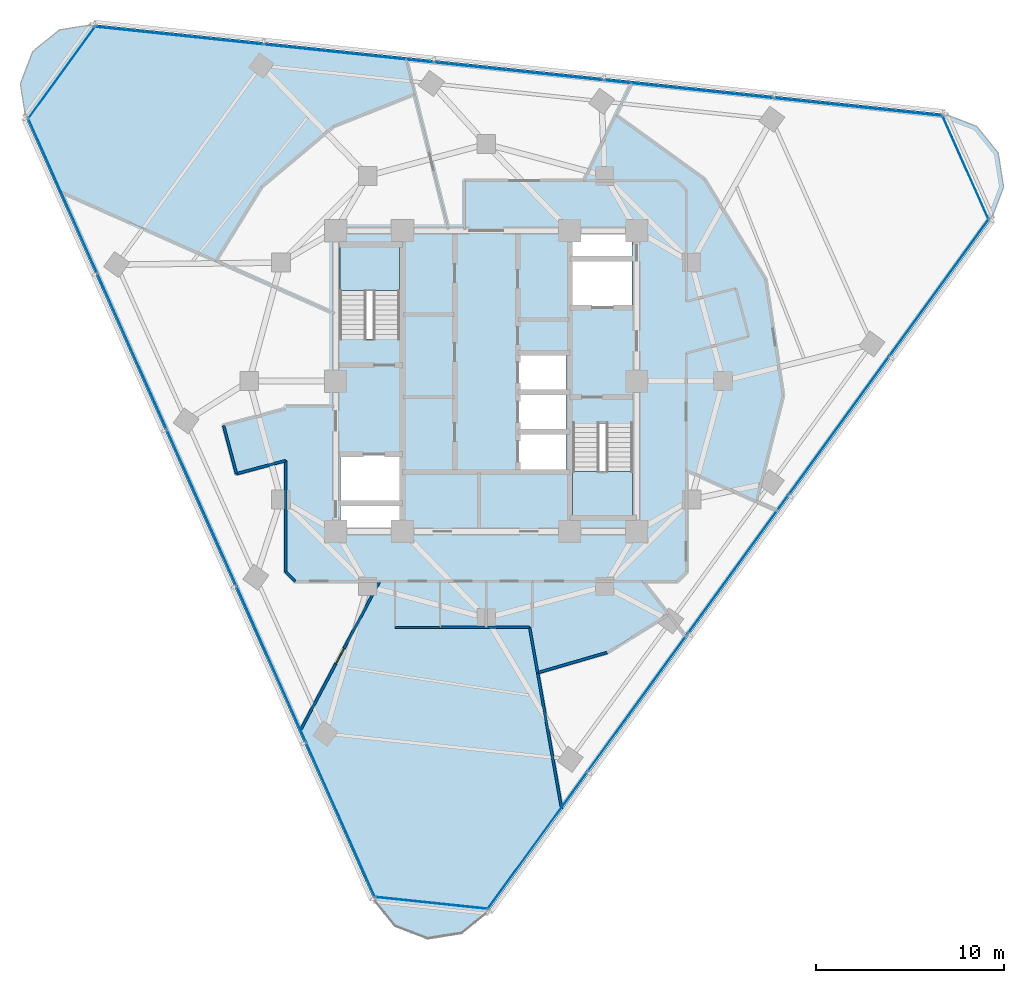
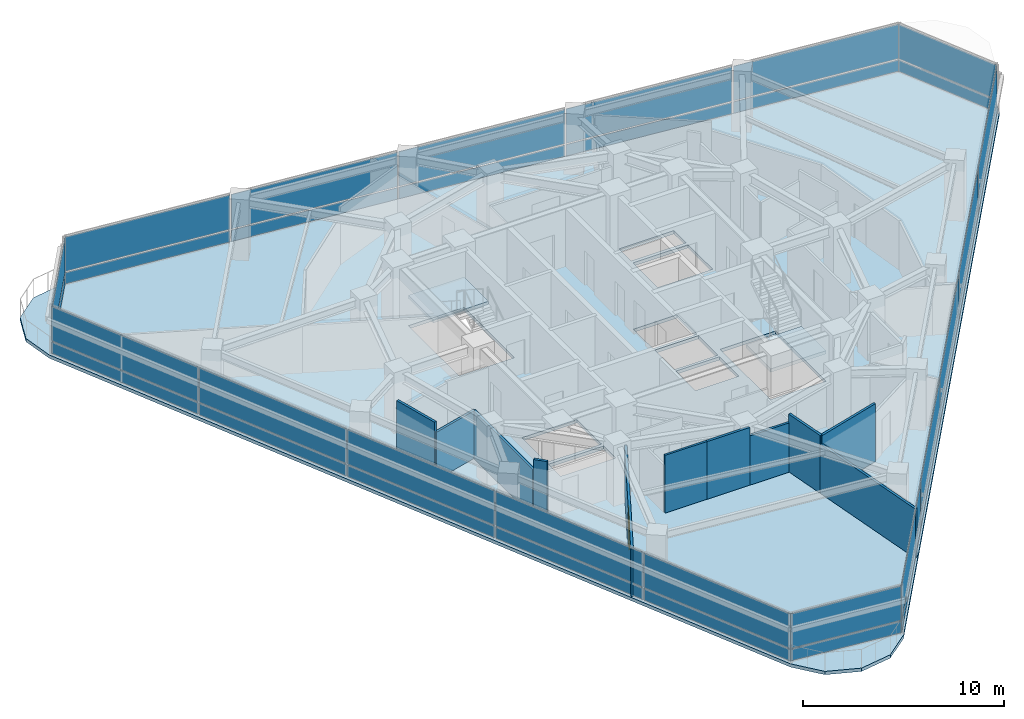
# One storey, part 7 of 15: 36 plates, 11 walls, 3 slabs, 1 door, 1 opening, 8 elements without a shape of their own.
"""IFC4 building model written with IfcOpenShell, lengths in metres."""

from ifc_helpers import new_model, si_unit, direction, frame, frame_2d, origin, origin_2d, place, context, subcontext, project, spatial, polyline, rectangle, outline, extrude, material, layer, layer_set, type_object, element, fill, aggregate, save


model = new_model("IFC4")

# Units and contexts
model_context = context("Model", 3, precision=1e-05, world=origin(), true_north=direction((0.0, 1.0)))
body_context = subcontext(model_context, "Body", "Model", "MODEL_VIEW")
ifc_project = project(units=[si_unit("LENGTHUNIT", "METRE"), si_unit("AREAUNIT", "SQUARE_METRE"), si_unit("VOLUMEUNIT", "CUBIC_METRE"), si_unit("PLANEANGLEUNIT", "RADIAN"), si_unit("MASSUNIT", "GRAM", prefix="KILO")], contexts=[model_context])

# Site, building, storey
site_placement = place(None, origin())
site = spatial("IfcSite", under=ifc_project, at=site_placement, CompositionType="ELEMENT")
building_placement = place(site_placement, origin())
building = spatial("IfcBuilding", under=site, at=building_placement, Name="Terralouvre Media Tower", CompositionType="ELEMENT")
storey_placement = place(building_placement, frame((0.0, 0.0, 230.0)))
storey = spatial("IfcBuildingStorey", under=building, at=storey_placement, Name="L59", CompositionType="ELEMENT", Elevation=230.0)

# Slab
ifc_material_1 = material(Name="Concrete C40/50", Category="concrete")
ifc_layer_1 = layer(ifc_material_1, 0.199951171875, Name="Composite Tower Floor Slab S-TYP200")
ifc_layer_set_1 = layer_set([ifc_layer_1], Name="Concrete C40/50")
slab_type_1 = type_object("IfcSlabType", Name="Composite Tower Floor Slab S-TYP200", PredefinedType="FLOOR", material=ifc_layer_set_1)
slab_1_placement = place(storey_placement, frame((0.0, 0.0, -0.199951171875), z_axis=(0.0, 0.0, 1.0), x_axis=(0.587785252292, 0.809016994375, 0.0)))
element("IfcSlab", 1, at=slab_1_placement, inside=storey, type_object=slab_type_1, Name="L59 Structural Floor Slab", PredefinedType="FLOOR", context=body_context, shape_type="SweptSolid", body=[
    extrude(outline(polyline([(-25.824462890625, -11.359619140625), (-26.300048828125, -13.134765625), (-25.824462890625, -14.90966796875), (-24.52490234375, -16.209228515625), (-22.75, -16.684814453125), (22.75, -16.684814453125), (24.52490234375, -16.209228515625), (25.824462890625, -14.90966796875), (26.300048828125, -13.134765625), (25.824462890625, -11.359619140625), (3.074462890625, 28.04443359375), (1.77490234375, 29.34375), (0.0, 29.8193359375), (-1.77490234375, 29.34375), (-3.074462890625, 28.04443359375), (-25.824462890625, -11.359619140625)]), holes=[polyline([(-8.043212890625, -0.157958984375), (-9.01416015625, -0.86328125), (-10.86572265625, 1.68505859375), (-9.894775390625, 2.390380859375), (-8.043212890625, -0.157958984375)]), polyline([(-5.8994140625, 1.399658203125), (-7.881591796875, -0.040283203125), (-9.733154296875, 2.508056640625), (-7.7509765625, 3.9482421875), (-5.8994140625, 1.399658203125)]), polyline([(-3.169677734375, -7.98876953125), (0.887451171875, -5.041015625), (2.7568359375, -7.61376953125), (-1.300537109375, -10.5615234375), (-3.169677734375, -7.98876953125)]), polyline([(0.2490234375, -5.072265625), (-1.320556640625, -6.212646484375), (-2.7900390625, -4.190185546875), (-1.220458984375, -3.0498046875), (0.2490234375, -5.072265625)]), polyline([(1.947998046875, -3.838134765625), (0.37841796875, -4.978271484375), (-1.091064453125, -2.955810546875), (0.478515625, -1.8154296875), (1.947998046875, -3.838134765625)]), polyline([(3.64697265625, -2.603759765625), (2.077392578125, -3.743896484375), (0.60791015625, -1.721435546875), (2.177490234375, -0.5810546875), (3.64697265625, -2.603759765625)]), polyline([(3.169677734375, 7.98876953125), (-0.887451171875, 5.041015625), (-2.7568359375, 7.61376953125), (1.300537109375, 10.5615234375), (3.169677734375, 7.98876953125)]), polyline([(7.7509765625, -3.9482421875), (5.8994140625, -1.399658203125), (7.881591796875, 0.040283203125), (9.733154296875, -2.508056640625), (7.7509765625, -3.9482421875)]), polyline([(9.894775390625, -2.390380859375), (8.043212890625, 0.157958984375), (9.01416015625, 0.86328125), (10.86572265625, -1.68505859375), (9.894775390625, -2.390380859375)])]), origin(), (0.0, 0.0, 1.0), 0.199951171875),
])

# Stair, slab
ifc_material_2 = material(Name="Concrete C45/55", Category="concrete")
stair_type_1 = type_object("IfcStairType", Name="Dogleg Stair Assembly ST-01", PredefinedType="HALF_TURN_STAIR", material=ifc_material_2)
stair_1_placement = place(storey_placement, origin())
stair_1 = element("IfcStair", 2, at=stair_1_placement, inside=storey, type_object=stair_type_1, Name="L59 Core Pressurised Exit Stair ST-01", PredefinedType="HALF_TURN_STAIR")
ifc_material_3 = material(Name="Concrete C45/55", Category="concrete")
ifc_layer_2 = layer(ifc_material_3, 0.199951171875, Name="Reinforced Concrete Stair Half-Landing SL-LD1")
ifc_layer_set_2 = layer_set([ifc_layer_2], Name="Concrete C45/55")
slab_type_2 = type_object("IfcSlabType", Name="Reinforced Concrete Stair Half-Landing SL-LD1", PredefinedType="LANDING", material=ifc_layer_set_2)
slab_2_placement = place(storey_placement, frame((0.0, 0.0, 1.64990234375)))
slab_2 = element("IfcSlab", 3, at=slab_2_placement, type_object=slab_type_2, Name="ST-01 landing 1", PredefinedType="LANDING", context=body_context, shape_type="SweptSolid", body=[
    extrude(outline(polyline([(-4.60009765625, 4.820068359375), (-4.60009765625, 7.260009765625), (-7.780029296875, 7.260009765625), (-7.780029296875, 4.820068359375), (-4.60009765625, 4.820068359375)])), origin(), (0.0, 0.0, 1.0), 0.2001953125),
])
aggregate(stair_1, [slab_2])

ifc_material_4 = material(Name="Concrete C45/55", Category="concrete")
stair_type_2 = type_object("IfcStairType", Name="Dogleg Stair Assembly ST-02", PredefinedType="HALF_TURN_STAIR", material=ifc_material_4)
stair_2_placement = place(storey_placement, origin())
stair_2 = element("IfcStair", 4, at=stair_2_placement, inside=storey, type_object=stair_type_2, Name="L59 Core Pressurised Exit Stair ST-02", PredefinedType="HALF_TURN_STAIR")
slab_3_placement = place(storey_placement, frame((0.0, 0.0, 1.64990234375)))
slab_3 = element("IfcSlab", 5, at=slab_3_placement, type_object=slab_type_2, Name="ST-02 landing 1", PredefinedType="LANDING", context=body_context, shape_type="SweptSolid", body=[
    extrude(outline(polyline([(4.60009765625, -4.820068359375), (4.60009765625, -7.260009765625), (7.780029296875, -7.260009765625), (7.780029296875, -4.820068359375), (4.60009765625, -4.820068359375)])), origin(), (0.0, 0.0, 1.0), 0.2001953125),
])
aggregate(stair_2, [slab_3])

# Curtain wall, plates
ifc_material_5 = material(Name="Low-iron laminated double glazing with solar-control coating", Category="glass")
ifc_layer_3 = layer(ifc_material_5, 0.1650390625, Name="Rounded Wind-Corner Curved Glazing CW-04")
ifc_layer_set_3 = layer_set([ifc_layer_3], Name="Low-iron laminated double glazing with solar-control coating")
curtain_wall_type_1 = type_object("IfcCurtainWallType", Name="Rounded Wind-Corner Curved Glazing CW-04", PredefinedType="NOTDEFINED", material=ifc_layer_set_3)
curtain_wall_1_placement = place(storey_placement, origin())
curtain_wall_1 = element("IfcCurtainWall", 6, at=curtain_wall_1_placement, inside=storey, type_object=curtain_wall_type_1, Name="L59 Rounded Wind-Corner Curtain Wall C0", PredefinedType="NOTDEFINED")
ifc_material_6 = material(Name="Low-iron laminated double glazing with solar-control coating", Category="glass")
ifc_layer_4 = layer(ifc_material_6, 0.0400390625, Name="Rounded Corner Laminated Vision Panel CWP-03")
ifc_layer_set_4 = layer_set([ifc_layer_4], Name="Low-iron laminated double glazing with solar-control coating")
plate_type_1 = type_object("IfcPlateType", Name="Rounded Corner Laminated Vision Panel CWP-03", PredefinedType="CURTAIN_PANEL", material=ifc_layer_set_4)
plate_1_placement = place(storey_placement, frame((-2.916748046875, -27.75146484375, 0.074951171875), z_axis=(0.0, 0.0, 1.0), x_axis=(0.994521944551, -0.104527995322, 0.0)))
plate_1 = element("IfcPlate", 7, at=plate_1_placement, type_object=plate_type_1, Name="CW-04 panel 1.1", PredefinedType="CURTAIN_PANEL", context=body_context, shape_type="SweptSolid", body=[
    extrude(rectangle(XDim=5.998779296875, YDim=0.035888671875, at=origin_2d()), origin(), (0.0, 0.0, 1.0), 0.6875),
])
plate_2_placement = place(storey_placement, frame((-2.916748046875, -27.75146484375, 0.837646484375), z_axis=(0.0, 0.0, 1.0), x_axis=(0.994521944551, -0.104527995322, 0.0)))
plate_2 = element("IfcPlate", 8, at=plate_2_placement, type_object=plate_type_1, Name="CW-04 panel 1.2", PredefinedType="CURTAIN_PANEL", context=body_context, shape_type="SweptSolid", body=[
    extrude(rectangle(XDim=5.998779296875, YDim=0.035888671875, at=origin_2d()), origin(), (0.0, 0.0, 1.0), 2.08740234375),
])
aggregate(curtain_wall_1, [plate_1, plate_2])

curtain_wall_2_placement = place(storey_placement, origin())
curtain_wall_2 = element("IfcCurtainWall", 9, at=curtain_wall_2_placement, inside=storey, type_object=curtain_wall_type_1, Name="L59 Rounded Wind-Corner Curtain Wall C1", PredefinedType="NOTDEFINED")
plate_3_placement = place(storey_placement, frame((25.491943359375, 11.349853515625, 0.074951171875), z_axis=(0.0, 0.0, 1.0), x_axis=(-0.406737441315, 0.913545102243, 0.0)))
plate_3 = element("IfcPlate", 10, at=plate_3_placement, type_object=plate_type_1, Name="CW-04 panel 1.1", PredefinedType="CURTAIN_PANEL", context=body_context, shape_type="SweptSolid", body=[
    extrude(rectangle(XDim=5.998779296875, YDim=0.035888671875, at=origin_2d()), origin(), (0.0, 0.0, 1.0), 0.6875),
])
plate_4_placement = place(storey_placement, frame((25.491943359375, 11.349853515625, 0.837646484375), z_axis=(0.0, 0.0, 1.0), x_axis=(-0.406737441315, 0.913545102243, 0.0)))
plate_4 = element("IfcPlate", 11, at=plate_4_placement, type_object=plate_type_1, Name="CW-04 panel 1.2", PredefinedType="CURTAIN_PANEL", context=body_context, shape_type="SweptSolid", body=[
    extrude(rectangle(XDim=5.998779296875, YDim=0.035888671875, at=origin_2d()), origin(), (0.0, 0.0, 1.0), 2.08740234375),
])
aggregate(curtain_wall_2, [plate_3, plate_4])

curtain_wall_3_placement = place(storey_placement, origin())
curtain_wall_3 = element("IfcCurtainWall", 12, at=curtain_wall_3_placement, inside=storey, type_object=curtain_wall_type_1, Name="L59 Rounded Wind-Corner Curtain Wall C2", PredefinedType="NOTDEFINED")
plate_5_placement = place(storey_placement, frame((-22.5751953125, 16.40185546875, 0.074951171875), z_axis=(0.0, 0.0, 1.0), x_axis=(-0.58778588998, -0.809016531067, 0.0)))
plate_5 = element("IfcPlate", 13, at=plate_5_placement, type_object=plate_type_1, Name="CW-04 panel 1.1", PredefinedType="CURTAIN_PANEL", context=body_context, shape_type="SweptSolid", body=[
    extrude(rectangle(XDim=5.998779296875, YDim=0.035888671875, at=origin_2d()), origin(), (0.0, 0.0, 1.0), 0.6875),
])
plate_6_placement = place(storey_placement, frame((-22.5751953125, 16.40185546875, 0.837646484375), z_axis=(0.0, 0.0, 1.0), x_axis=(-0.58778588998, -0.809016531067, 0.0)))
plate_6 = element("IfcPlate", 14, at=plate_6_placement, type_object=plate_type_1, Name="CW-04 panel 1.2", PredefinedType="CURTAIN_PANEL", context=body_context, shape_type="SweptSolid", body=[
    extrude(rectangle(XDim=5.998779296875, YDim=0.035888671875, at=origin_2d()), origin(), (0.0, 0.0, 1.0), 2.08740234375),
])
aggregate(curtain_wall_3, [plate_5, plate_6])

ifc_material_7 = material(Name="Low-iron laminated double glazing with solar-control coating", Category="glass")
ifc_layer_5 = layer(ifc_material_7, 0.1650390625, Name="Upper Executive Tower Curtain Wall CW-05")
ifc_layer_set_5 = layer_set([ifc_layer_5], Name="Low-iron laminated double glazing with solar-control coating")
curtain_wall_type_2 = type_object("IfcCurtainWallType", Name="Upper Executive Tower Curtain Wall CW-05", PredefinedType="NOTDEFINED", material=ifc_layer_set_5)
curtain_wall_4_placement = place(storey_placement, origin())
curtain_wall_4 = element("IfcCurtainWall", 15, at=curtain_wall_4_placement, inside=storey, type_object=curtain_wall_type_2, Name="L59 Facade Curtain Wall F0", PredefinedType="NOTDEFINED")
ifc_material_8 = material(Name="Low-iron laminated double glazing with solar-control coating", Category="glass")
ifc_layer_6 = layer(ifc_material_8, 0.035888671875, Name="Vision Double-Glazed Unit CWP-01")
ifc_layer_set_6 = layer_set([ifc_layer_6], Name="Low-iron laminated double glazing with solar-control coating")
plate_type_2 = type_object("IfcPlateType", Name="Vision Double-Glazed Unit CWP-01", PredefinedType="CURTAIN_PANEL", material=ifc_layer_set_6)
plate_7_placement = place(storey_placement, frame((2.71435546875, -24.4453125, 0.074951171875), z_axis=(0.0, 0.0, 1.0), x_axis=(0.587785300879, 0.809016959074, 0.0)))
plate_7 = element("IfcPlate", 16, at=plate_7_placement, type_object=plate_type_2, Name="CW-05 panel 1.1", PredefinedType="CURTAIN_PANEL", context=body_context, shape_type="SweptSolid", body=[
    extrude(rectangle(XDim=8.987548828125, YDim=0.035888671875, at=origin_2d()), origin(), (0.0, 0.0, 1.0), 0.6875),
])
plate_8_placement = place(storey_placement, frame((2.71435546875, -24.4453125, 0.837646484375), z_axis=(0.0, 0.0, 1.0), x_axis=(0.587785300879, 0.809016959074, 0.0)))
plate_8 = element("IfcPlate", 17, at=plate_8_placement, type_object=plate_type_2, Name="CW-05 panel 1.2", PredefinedType="CURTAIN_PANEL", context=body_context, shape_type="SweptSolid", body=[
    extrude(rectangle(XDim=8.987548828125, YDim=0.035888671875, at=origin_2d()), origin(), (0.0, 0.0, 1.0), 2.08740234375),
])
plate_9_placement = place(storey_placement, frame((8.05224609375, -17.0986328125, 0.074951171875), z_axis=(0.0, 0.0, 1.0), x_axis=(0.587785300879, 0.809016959074, 0.0)))
plate_9 = element("IfcPlate", 18, at=plate_9_placement, type_object=plate_type_2, Name="CW-05 panel 2.1", PredefinedType="CURTAIN_PANEL", context=body_context, shape_type="SweptSolid", body=[
    extrude(rectangle(XDim=9.02490234375, YDim=0.035888671875, at=origin_2d()), origin(), (0.0, 0.0, 1.0), 0.6875),
])
plate_10_placement = place(storey_placement, frame((8.05224609375, -17.0986328125, 0.837646484375), z_axis=(0.0, 0.0, 1.0), x_axis=(0.587785300879, 0.809016959074, 0.0)))
plate_10 = element("IfcPlate", 19, at=plate_10_placement, type_object=plate_type_2, Name="CW-05 panel 2.2", PredefinedType="CURTAIN_PANEL", context=body_context, shape_type="SweptSolid", body=[
    extrude(rectangle(XDim=9.02490234375, YDim=0.035888671875, at=origin_2d()), origin(), (0.0, 0.0, 1.0), 2.08740234375),
])
plate_11_placement = place(storey_placement, frame((13.401123046875, -9.736572265625, 0.074951171875), z_axis=(0.0, 0.0, 1.0), x_axis=(0.587785300879, 0.809016959074, 0.0)))
plate_11 = element("IfcPlate", 20, at=plate_11_placement, type_object=plate_type_2, Name="CW-05 panel 3.1", PredefinedType="CURTAIN_PANEL", context=body_context, shape_type="SweptSolid", body=[
    extrude(rectangle(XDim=9.02490234375, YDim=0.035888671875, at=origin_2d()), origin(), (0.0, 0.0, 1.0), 0.6875),
])
plate_12_placement = place(storey_placement, frame((13.401123046875, -9.736572265625, 0.837646484375), z_axis=(0.0, 0.0, 1.0), x_axis=(0.587785300879, 0.809016959074, 0.0)))
plate_12 = element("IfcPlate", 21, at=plate_12_placement, type_object=plate_type_2, Name="CW-05 panel 3.2", PredefinedType="CURTAIN_PANEL", context=body_context, shape_type="SweptSolid", body=[
    extrude(rectangle(XDim=9.02490234375, YDim=0.035888671875, at=origin_2d()), origin(), (0.0, 0.0, 1.0), 2.08740234375),
])
plate_13_placement = place(storey_placement, frame((18.75, -2.37451171875, 0.074951171875), z_axis=(0.0, 0.0, 1.0), x_axis=(0.587785300879, 0.809016959074, 0.0)))
plate_13 = element("IfcPlate", 22, at=plate_13_placement, type_object=plate_type_2, Name="CW-05 panel 4.1", PredefinedType="CURTAIN_PANEL", context=body_context, shape_type="SweptSolid", body=[
    extrude(rectangle(XDim=9.02490234375, YDim=0.035888671875, at=origin_2d()), origin(), (0.0, 0.0, 1.0), 0.6875),
])
plate_14_placement = place(storey_placement, frame((18.75, -2.37451171875, 0.837646484375), z_axis=(0.0, 0.0, 1.0), x_axis=(0.587785300879, 0.809016959074, 0.0)))
plate_14 = element("IfcPlate", 23, at=plate_14_placement, type_object=plate_type_2, Name="CW-05 panel 4.2", PredefinedType="CURTAIN_PANEL", context=body_context, shape_type="SweptSolid", body=[
    extrude(rectangle(XDim=9.02490234375, YDim=0.035888671875, at=origin_2d()), origin(), (0.0, 0.0, 1.0), 2.08740234375),
])
plate_15_placement = place(storey_placement, frame((24.087890625, 4.972412109375, 0.074951171875), z_axis=(0.0, 0.0, 1.0), x_axis=(0.587785300879, 0.809016959074, 0.0)))
plate_15 = element("IfcPlate", 24, at=plate_15_placement, type_object=plate_type_2, Name="CW-05 panel 5.1", PredefinedType="CURTAIN_PANEL", context=body_context, shape_type="SweptSolid", body=[
    extrude(rectangle(XDim=8.987548828125, YDim=0.035888671875, at=origin_2d()), origin(), (0.0, 0.0, 1.0), 0.6875),
])
plate_16_placement = place(storey_placement, frame((24.087890625, 4.972412109375, 0.837646484375), z_axis=(0.0, 0.0, 1.0), x_axis=(0.587785300879, 0.809016959074, 0.0)))
plate_16 = element("IfcPlate", 25, at=plate_16_placement, type_object=plate_type_2, Name="CW-05 panel 5.2", PredefinedType="CURTAIN_PANEL", context=body_context, shape_type="SweptSolid", body=[
    extrude(rectangle(XDim=8.987548828125, YDim=0.035888671875, at=origin_2d()), origin(), (0.0, 0.0, 1.0), 2.08740234375),
])
aggregate(curtain_wall_4, [plate_7, plate_8, plate_9, plate_10, plate_11, plate_12, plate_13, plate_14, plate_15, plate_16])

curtain_wall_5_placement = place(storey_placement, origin())
curtain_wall_5 = element("IfcCurtainWall", 26, at=curtain_wall_5_placement, inside=storey, type_object=curtain_wall_type_2, Name="L59 Facade Curtain Wall F1", PredefinedType="NOTDEFINED")
plate_17_placement = place(storey_placement, frame((19.813232421875, 14.573486328125, 0.074951171875), z_axis=(0.0, 0.0, 1.0), x_axis=(-0.994521885028, 0.104528561651, 0.0)))
plate_17 = element("IfcPlate", 27, at=plate_17_placement, type_object=plate_type_2, Name="CW-05 panel 1.1", PredefinedType="CURTAIN_PANEL", context=body_context, shape_type="SweptSolid", body=[
    extrude(rectangle(XDim=8.987548828125, YDim=0.035888671875, at=origin_2d()), origin(), (0.0, 0.0, 1.0), 0.6875),
])
plate_18_placement = place(storey_placement, frame((19.813232421875, 14.573486328125, 0.837646484375), z_axis=(0.0, 0.0, 1.0), x_axis=(-0.994521885028, 0.104528561651, 0.0)))
plate_18 = element("IfcPlate", 28, at=plate_18_placement, type_object=plate_type_2, Name="CW-05 panel 1.2", PredefinedType="CURTAIN_PANEL", context=body_context, shape_type="SweptSolid", body=[
    extrude(rectangle(XDim=8.987548828125, YDim=0.035888671875, at=origin_2d()), origin(), (0.0, 0.0, 1.0), 2.08740234375),
])
plate_19_placement = place(storey_placement, frame((10.78173828125, 15.522705078125, 0.074951171875), z_axis=(0.0, 0.0, 1.0), x_axis=(-0.994521885028, 0.104528561651, 0.0)))
plate_19 = element("IfcPlate", 29, at=plate_19_placement, type_object=plate_type_2, Name="CW-05 panel 2.1", PredefinedType="CURTAIN_PANEL", context=body_context, shape_type="SweptSolid", body=[
    extrude(rectangle(XDim=9.02490234375, YDim=0.035888671875, at=origin_2d()), origin(), (0.0, 0.0, 1.0), 0.6875),
])
plate_20_placement = place(storey_placement, frame((10.78173828125, 15.522705078125, 0.837646484375), z_axis=(0.0, 0.0, 1.0), x_axis=(-0.994521885028, 0.104528561651, 0.0)))
plate_20 = element("IfcPlate", 30, at=plate_20_placement, type_object=plate_type_2, Name="CW-05 panel 2.2", PredefinedType="CURTAIN_PANEL", context=body_context, shape_type="SweptSolid", body=[
    extrude(rectangle(XDim=9.02490234375, YDim=0.035888671875, at=origin_2d()), origin(), (0.0, 0.0, 1.0), 2.08740234375),
])
plate_21_placement = place(storey_placement, frame((1.7314453125, 16.473876953125, 0.074951171875), z_axis=(0.0, 0.0, 1.0), x_axis=(-0.994521885028, 0.104528561651, 0.0)))
plate_21 = element("IfcPlate", 31, at=plate_21_placement, type_object=plate_type_2, Name="CW-05 panel 3.1", PredefinedType="CURTAIN_PANEL", context=body_context, shape_type="SweptSolid", body=[
    extrude(rectangle(XDim=9.02490234375, YDim=0.035888671875, at=origin_2d()), origin(), (0.0, 0.0, 1.0), 0.6875),
])
plate_22_placement = place(storey_placement, frame((1.7314453125, 16.473876953125, 0.837646484375), z_axis=(0.0, 0.0, 1.0), x_axis=(-0.994521885028, 0.104528561651, 0.0)))
plate_22 = element("IfcPlate", 32, at=plate_22_placement, type_object=plate_type_2, Name="CW-05 panel 3.2", PredefinedType="CURTAIN_PANEL", context=body_context, shape_type="SweptSolid", body=[
    extrude(rectangle(XDim=9.02490234375, YDim=0.035888671875, at=origin_2d()), origin(), (0.0, 0.0, 1.0), 2.08740234375),
])
plate_23_placement = place(storey_placement, frame((-7.318603515625, 17.42529296875, 0.074951171875), z_axis=(0.0, 0.0, 1.0), x_axis=(-0.994521885028, 0.104528561651, 0.0)))
plate_23 = element("IfcPlate", 33, at=plate_23_placement, type_object=plate_type_2, Name="CW-05 panel 4.1", PredefinedType="CURTAIN_PANEL", context=body_context, shape_type="SweptSolid", body=[
    extrude(rectangle(XDim=9.02490234375, YDim=0.035888671875, at=origin_2d()), origin(), (0.0, 0.0, 1.0), 0.6875),
])
plate_24_placement = place(storey_placement, frame((-7.318603515625, 17.42529296875, 0.837646484375), z_axis=(0.0, 0.0, 1.0), x_axis=(-0.994521885028, 0.104528561651, 0.0)))
plate_24 = element("IfcPlate", 34, at=plate_24_placement, type_object=plate_type_2, Name="CW-05 panel 4.2", PredefinedType="CURTAIN_PANEL", context=body_context, shape_type="SweptSolid", body=[
    extrude(rectangle(XDim=9.02490234375, YDim=0.035888671875, at=origin_2d()), origin(), (0.0, 0.0, 1.0), 2.08740234375),
])
plate_25_placement = place(storey_placement, frame((-16.35009765625, 18.37451171875, 0.074951171875), z_axis=(0.0, 0.0, 1.0), x_axis=(-0.994521885028, 0.104528561651, 0.0)))
plate_25 = element("IfcPlate", 35, at=plate_25_placement, type_object=plate_type_2, Name="CW-05 panel 5.1", PredefinedType="CURTAIN_PANEL", context=body_context, shape_type="SweptSolid", body=[
    extrude(rectangle(XDim=8.987548828125, YDim=0.035888671875, at=origin_2d()), origin(), (0.0, 0.0, 1.0), 0.6875),
])
plate_26_placement = place(storey_placement, frame((-16.35009765625, 18.37451171875, 0.837646484375), z_axis=(0.0, 0.0, 1.0), x_axis=(-0.994521885028, 0.104528561651, 0.0)))
plate_26 = element("IfcPlate", 36, at=plate_26_placement, type_object=plate_type_2, Name="CW-05 panel 5.2", PredefinedType="CURTAIN_PANEL", context=body_context, shape_type="SweptSolid", body=[
    extrude(rectangle(XDim=8.987548828125, YDim=0.035888671875, at=origin_2d()), origin(), (0.0, 0.0, 1.0), 2.08740234375),
])
aggregate(curtain_wall_5, [plate_17, plate_18, plate_19, plate_20, plate_21, plate_22, plate_23, plate_24, plate_25, plate_26])

curtain_wall_6_placement = place(storey_placement, origin())
curtain_wall_6 = element("IfcCurtainWall", 37, at=curtain_wall_6_placement, inside=storey, type_object=curtain_wall_type_2, Name="L59 Facade Curtain Wall F2", PredefinedType="NOTDEFINED")
plate_27_placement = place(storey_placement, frame((-22.527587890625, 9.871826171875, 0.074951171875), z_axis=(0.0, 0.0, 1.0), x_axis=(0.406736679636, -0.913545441365, 0.0)))
plate_27 = element("IfcPlate", 38, at=plate_27_placement, type_object=plate_type_2, Name="CW-05 panel 1.1", PredefinedType="CURTAIN_PANEL", context=body_context, shape_type="SweptSolid", body=[
    extrude(rectangle(XDim=8.987548828125, YDim=0.035888671875, at=origin_2d()), origin(), (0.0, 0.0, 1.0), 0.6875),
])
plate_28_placement = place(storey_placement, frame((-22.527587890625, 9.871826171875, 0.837646484375), z_axis=(0.0, 0.0, 1.0), x_axis=(0.406736679636, -0.913545441365, 0.0)))
plate_28 = element("IfcPlate", 39, at=plate_28_placement, type_object=plate_type_2, Name="CW-05 panel 1.2", PredefinedType="CURTAIN_PANEL", context=body_context, shape_type="SweptSolid", body=[
    extrude(rectangle(XDim=8.987548828125, YDim=0.035888671875, at=origin_2d()), origin(), (0.0, 0.0, 1.0), 2.08740234375),
])
plate_29_placement = place(storey_placement, frame((-18.833984375, 1.57568359375, 0.074951171875), z_axis=(0.0, 0.0, 1.0), x_axis=(0.406736679636, -0.913545441365, 0.0)))
plate_29 = element("IfcPlate", 40, at=plate_29_placement, type_object=plate_type_2, Name="CW-05 panel 2.1", PredefinedType="CURTAIN_PANEL", context=body_context, shape_type="SweptSolid", body=[
    extrude(rectangle(XDim=9.02490234375, YDim=0.035888671875, at=origin_2d()), origin(), (0.0, 0.0, 1.0), 0.6875),
])
plate_30_placement = place(storey_placement, frame((-18.833984375, 1.57568359375, 0.837646484375), z_axis=(0.0, 0.0, 1.0), x_axis=(0.406736679636, -0.913545441365, 0.0)))
plate_30 = element("IfcPlate", 41, at=plate_30_placement, type_object=plate_type_2, Name="CW-05 panel 2.2", PredefinedType="CURTAIN_PANEL", context=body_context, shape_type="SweptSolid", body=[
    extrude(rectangle(XDim=9.02490234375, YDim=0.035888671875, at=origin_2d()), origin(), (0.0, 0.0, 1.0), 2.08740234375),
])
plate_31_placement = place(storey_placement, frame((-15.132568359375, -6.737548828125, 0.074951171875), z_axis=(0.0, 0.0, 1.0), x_axis=(0.406736679636, -0.913545441365, 0.0)))
plate_31 = element("IfcPlate", 42, at=plate_31_placement, type_object=plate_type_2, Name="CW-05 panel 3.1", PredefinedType="CURTAIN_PANEL", context=body_context, shape_type="SweptSolid", body=[
    extrude(rectangle(XDim=9.02490234375, YDim=0.035888671875, at=origin_2d()), origin(), (0.0, 0.0, 1.0), 0.6875),
])
plate_32_placement = place(storey_placement, frame((-15.132568359375, -6.737548828125, 0.837646484375), z_axis=(0.0, 0.0, 1.0), x_axis=(0.406736679636, -0.913545441365, 0.0)))
plate_32 = element("IfcPlate", 43, at=plate_32_placement, type_object=plate_type_2, Name="CW-05 panel 3.2", PredefinedType="CURTAIN_PANEL", context=body_context, shape_type="SweptSolid", body=[
    extrude(rectangle(XDim=9.02490234375, YDim=0.035888671875, at=origin_2d()), origin(), (0.0, 0.0, 1.0), 2.08740234375),
])
plate_33_placement = place(storey_placement, frame((-11.431396484375, -15.05078125, 0.074951171875), z_axis=(0.0, 0.0, 1.0), x_axis=(0.406736679636, -0.913545441365, 0.0)))
plate_33 = element("IfcPlate", 44, at=plate_33_placement, type_object=plate_type_2, Name="CW-05 panel 4.1", PredefinedType="CURTAIN_PANEL", context=body_context, shape_type="SweptSolid", body=[
    extrude(rectangle(XDim=9.02490234375, YDim=0.035888671875, at=origin_2d()), origin(), (0.0, 0.0, 1.0), 0.6875),
])
plate_34_placement = place(storey_placement, frame((-11.431396484375, -15.05078125, 0.837646484375), z_axis=(0.0, 0.0, 1.0), x_axis=(0.406736679636, -0.913545441365, 0.0)))
plate_34 = element("IfcPlate", 45, at=plate_34_placement, type_object=plate_type_2, Name="CW-05 panel 4.2", PredefinedType="CURTAIN_PANEL", context=body_context, shape_type="SweptSolid", body=[
    extrude(rectangle(XDim=9.02490234375, YDim=0.035888671875, at=origin_2d()), origin(), (0.0, 0.0, 1.0), 2.08740234375),
])
plate_35_placement = place(storey_placement, frame((-7.737548828125, -23.346923828125, 0.074951171875), z_axis=(0.0, 0.0, 1.0), x_axis=(0.406736679636, -0.913545441365, 0.0)))
plate_35 = element("IfcPlate", 46, at=plate_35_placement, type_object=plate_type_2, Name="CW-05 panel 5.1", PredefinedType="CURTAIN_PANEL", context=body_context, shape_type="SweptSolid", body=[
    extrude(rectangle(XDim=8.987548828125, YDim=0.035888671875, at=origin_2d()), origin(), (0.0, 0.0, 1.0), 0.6875),
])
plate_36_placement = place(storey_placement, frame((-7.737548828125, -23.346923828125, 0.837646484375), z_axis=(0.0, 0.0, 1.0), x_axis=(0.406736679636, -0.913545441365, 0.0)))
plate_36 = element("IfcPlate", 47, at=plate_36_placement, type_object=plate_type_2, Name="CW-05 panel 5.2", PredefinedType="CURTAIN_PANEL", context=body_context, shape_type="SweptSolid", body=[
    extrude(rectangle(XDim=8.987548828125, YDim=0.035888671875, at=origin_2d()), origin(), (0.0, 0.0, 1.0), 2.08740234375),
])
aggregate(curtain_wall_6, [plate_27, plate_28, plate_29, plate_30, plate_31, plate_32, plate_33, plate_34, plate_35, plate_36])

# Walls
ifc_material_9 = material(Name="Fire-rated gypsum board drywall partition")
ifc_layer_7 = layer(ifc_material_9, 0.135009765625, Name="Newsroom Acoustic Partition PT-135")
ifc_layer_set_7 = layer_set([ifc_layer_7], Name="Fire-rated gypsum board drywall partition")
wall_type_1 = type_object("IfcWallType", Name="Newsroom Acoustic Partition PT-135", PredefinedType="PARTITIONING", material=ifc_layer_set_7)
wall_1_placement = place(storey_placement, frame((-13.9619140625, -2.368896484375, 0.0), z_axis=(0.0, 0.0, 1.0), x_axis=(0.258413725385, -0.966034340245, 0.0)))
element("IfcWall", 48, at=wall_1_placement, inside=storey, type_object=wall_type_1, Name="L59 Interior Partition 003", PredefinedType="PARTITIONING", context=body_context, shape_type="SweptSolid", body=[
    extrude(rectangle(XDim=2.650146484375, YDim=0.135009765625, at=frame_2d((1.3251953125, 0.0))), origin(), (0.0, 0.0, 1.0), 3.5),
])
wall_2_placement = place(storey_placement, frame((-13.277099609375, -4.928955078125, 0.0), z_axis=(0.0, 0.0, 1.0), x_axis=(0.965934830229, 0.258785439601, 0.0)))
element("IfcWall", 49, at=wall_2_placement, inside=storey, type_object=wall_type_1, Name="L59 Interior Partition 004", PredefinedType="PARTITIONING", context=body_context, shape_type="SweptSolid", body=[
    extrude(rectangle(XDim=2.719970703125, YDim=0.135009765625, at=frame_2d((1.35986328125, 0.0))), origin(), (0.0, 0.0, 1.0), 2.885009765625),
])
wall_3_placement = place(storey_placement, frame((-10.64990234375, -4.22509765625, 0.0), z_axis=(0.0, 0.0, 1.0), x_axis=(0.0, -1.0, 0.0)))
element("IfcWall", 50, at=wall_3_placement, inside=storey, type_object=wall_type_1, Name="L59 Interior Partition 005", PredefinedType="PARTITIONING", context=body_context, shape_type="SweptSolid", body=[
    extrude(rectangle(XDim=5.9248046875, YDim=0.135009765625, at=frame_2d((2.96240234375, 0.0))), origin(), (0.0, 0.0, 1.0), 2.885009765625),
])
wall_4_placement = place(storey_placement, frame((-10.64990234375, -10.14990234375, 0.0), z_axis=(0.0, 0.0, 1.0), x_axis=(0.707106781187, -0.707106781187, 0.0)))
element("IfcWall", 51, at=wall_4_placement, inside=storey, type_object=wall_type_1, Name="L59 Interior Partition 006", PredefinedType="PARTITIONING", context=body_context, shape_type="SweptSolid", body=[
    extrude(rectangle(XDim=0.70703125, YDim=0.135009765625, at=frame_2d((0.353515625, 0.0))), origin(), (0.0, 0.0, 1.0), 3.5),
])

# Wall, opening, door
wall_5_placement = place(storey_placement, frame((-9.892822265625, -18.604736328125, 0.0), z_axis=(0.0, 0.0, 1.0), x_axis=(0.469478145305, 0.88294409284, 0.0)))
wall_5 = element("IfcWall", 52, at=wall_5_placement, inside=storey, type_object=wall_type_1, Name="L59 Interior Partition 025", PredefinedType="PARTITIONING", context=body_context, shape_type="SweptSolid", body=[
    extrude(rectangle(XDim=9.009521484375, YDim=0.135009765625, at=frame_2d((4.5048828125, 0.0))), origin(), (0.0, 0.0, 1.0), 2.885009765625),
])
opening_placement = place(wall_5_placement, frame((4.044677734375, 0.0, 0.0)))
opening = element("IfcOpeningElement", 53, at=opening_placement, cuts=wall_5, Name="Opening ID-03-92X210", PredefinedType="OPENING", context=body_context, shape_type="SweptSolid", body=[
    extrude(rectangle(XDim=0.919921875, YDim=2.10009765625, at=frame_2d((0.4599609375, 1.050048828125))), frame((0.0, 0.077392578125, 0.0), z_axis=(0.0, -1.0, 0.0), x_axis=(1.0, 0.0, 0.0)), (0.0, 0.0, 1.0), 0.155029296875),
])
ifc_material_10 = material(Name="Engineered hardwood acoustic timber leaf", Category="wood")
door_type = type_object("IfcDoorType", Name="Accessible Restroom and Suite Door ID-03 (920x2100)", OperationType="NOTDEFINED", PredefinedType="DOOR", material=ifc_material_10)
door_placement = place(opening_placement, origin())
door = element("IfcDoor", 54, at=door_placement, inside=storey, type_object=door_type, Name="L59 Investigative Team Office 3 Door", OperationType="SINGLE_SWING_RIGHT", OverallHeight=2.10009765625, OverallWidth=0.919921875, PredefinedType="DOOR", context=body_context, shape_type="SweptSolid", body=[
    extrude(rectangle(XDim=0.919921875, YDim=2.10009765625, at=frame_2d((0.4599609375, 1.050048828125))), frame((0.0, 0.02490234375, 0.0), z_axis=(0.0, -1.0, 0.0), x_axis=(1.0, 0.0, 0.0)), (0.0, 0.0, 1.0), 0.050048828125),
])
fill(opening, door)

# Walls
wall_6_placement = place(storey_placement, frame((0.0, -13.10009765625, 0.0), z_axis=(0.0, 0.0, 1.0), x_axis=(-1.0, 0.0, 0.0)))
element("IfcWall", 55, at=wall_6_placement, inside=storey, type_object=wall_type_1, Name="L59 Interior Partition 037", PredefinedType="PARTITIONING", context=body_context, shape_type="SweptSolid", body=[
    extrude(rectangle(XDim=2.449951171875, YDim=0.135009765625, at=frame_2d((1.22509765625, 0.0))), origin(), (0.0, 0.0, 1.0), 3.5),
])
wall_7_placement = place(storey_placement, frame((2.31005859375, -13.10009765625, 0.0), z_axis=(0.0, 0.0, 1.0), x_axis=(-1.0, 0.0, 0.0)))
element("IfcWall", 56, at=wall_7_placement, inside=storey, type_object=wall_type_1, Name="L59 Interior Partition 038", PredefinedType="PARTITIONING", context=body_context, shape_type="SweptSolid", body=[
    extrude(rectangle(XDim=2.31005859375, YDim=0.135009765625, at=frame_2d((1.155029296875, 0.0))), origin(), (0.0, 0.0, 1.0), 2.985107421875),
])
wall_8_placement = place(storey_placement, frame((4.008544921875, -22.732421875, 0.0), z_axis=(0.0, 0.0, 1.0), x_axis=(-0.173639103053, 0.984809353068, 0.0)))
element("IfcWall", 57, at=wall_8_placement, inside=storey, type_object=wall_type_1, Name="L59 Interior Partition 039", PredefinedType="PARTITIONING", context=body_context, shape_type="SweptSolid", body=[
    extrude(rectangle(XDim=7.333740234375, YDim=0.135009765625, at=frame_2d((3.6669921875, 0.0))), origin(), (0.0, 0.0, 1.0), 2.985107421875),
])
wall_9_placement = place(storey_placement, frame((2.735107421875, -15.510009765625, 0.0), z_axis=(0.0, 0.0, 1.0), x_axis=(-0.173694270709, 0.984799624453, 0.0)))
element("IfcWall", 58, at=wall_9_placement, inside=storey, type_object=wall_type_1, Name="L59 Interior Partition 040", PredefinedType="PARTITIONING", context=body_context, shape_type="SweptSolid", body=[
    extrude(rectangle(XDim=2.447021484375, YDim=0.135009765625, at=frame_2d((1.2236328125, 0.0))), origin(), (0.0, 0.0, 1.0), 3.5),
])
wall_10_placement = place(storey_placement, frame((6.426025390625, -14.43408203125, 0.0), z_axis=(0.0, 0.0, 1.0), x_axis=(-0.960041241254, -0.279858562654, 0.0)))
element("IfcWall", 59, at=wall_10_placement, inside=storey, type_object=wall_type_1, Name="L59 Interior Partition 044", PredefinedType="PARTITIONING", context=body_context, shape_type="SweptSolid", body=[
    extrude(rectangle(XDim=3.844482421875, YDim=0.135009765625, at=frame_2d((1.92236328125, 0.0))), origin(), (0.0, 0.0, 1.0), 3.5),
])
ifc_material_11 = material(Name="Fire-rated gypsum board drywall partition")
ifc_layer_8 = layer(ifc_material_11, 0.114990234375, Name="Restroom and Pantry Partition PT-115")
ifc_layer_set_8 = layer_set([ifc_layer_8], Name="Fire-rated gypsum board drywall partition")
wall_type_2 = type_object("IfcWallType", Name="Restroom and Pantry Partition PT-115", PredefinedType="PARTITIONING", material=ifc_layer_set_8)
wall_11_placement = place(storey_placement, frame((-4.85009765625, -13.10009765625, 0.0), z_axis=(0.0, 0.0, 1.0), x_axis=(1.0, 0.0, 0.0)))
element("IfcWall", 60, at=wall_11_placement, inside=storey, type_object=wall_type_2, Name="L59 Interior Partition 035", PredefinedType="PARTITIONING", context=body_context, shape_type="SweptSolid", body=[
    extrude(rectangle(XDim=2.400146484375, YDim=0.114990234375, at=frame_2d((1.2001953125, 0.0))), origin(), (0.0, 0.0, 1.0), 3.5),
])

save(model, "model.ifc")
